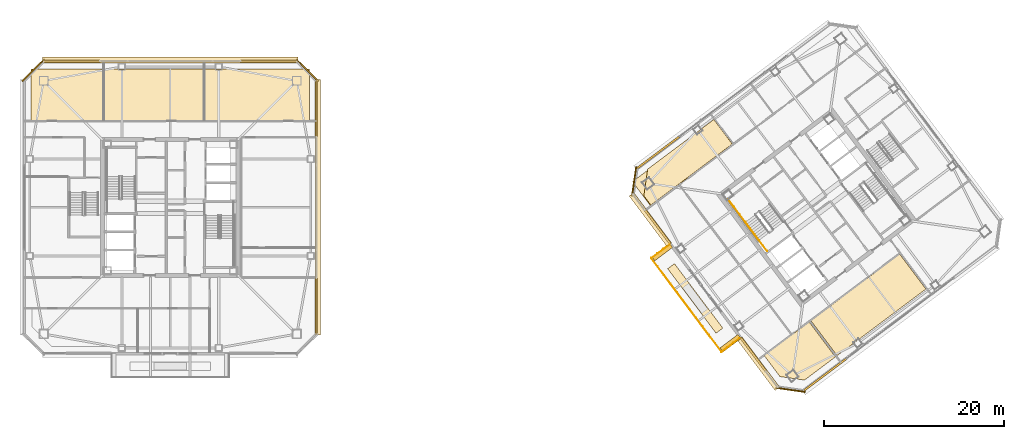
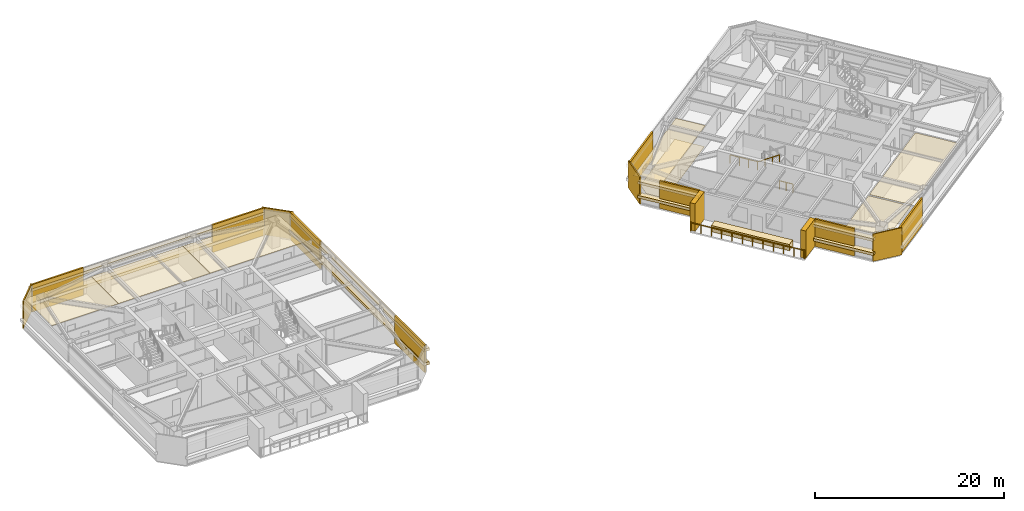
# One storey, part 36 of 40: 30 coverings, 6 railings.
"""IFC4 building model written with IfcOpenShell, lengths in metres."""

from ifc_helpers import new_model, si_unit, direction, frame, origin, origin_2d, place, context, subcontext, project, spatial, polyline, rectangle, outline, extrude, material, layer, layer_set, type_object, element, save


model = new_model("IFC4")

# Units and contexts
model_context = context("Model", 3, precision=1e-05, world=origin(), true_north=direction((0.0, 1.0)))
body_context = subcontext(model_context, "Body", "Model", "MODEL_VIEW")
ifc_project = project(units=[si_unit("LENGTHUNIT", "METRE"), si_unit("AREAUNIT", "SQUARE_METRE"), si_unit("VOLUMEUNIT", "CUBIC_METRE"), si_unit("PLANEANGLEUNIT", "RADIAN"), si_unit("MASSUNIT", "GRAM", prefix="KILO")], contexts=[model_context])

# Site, building, storey
site_placement = place(None, origin())
site = spatial("IfcSite", under=ifc_project, at=site_placement, CompositionType="ELEMENT")
building_placement = place(site_placement, origin())
building = spatial("IfcBuilding", under=site, at=building_placement, Name="Tashvorn Skyway Center", CompositionType="ELEMENT")
storey_placement = place(building_placement, frame((0.0, 0.0, 221.949951171875)))
storey = spatial("IfcBuildingStorey", under=building, at=storey_placement, Name="L60", CompositionType="ELEMENT", Elevation=221.949951171875)

# Coverings
ifc_material_1 = material(Name="Precast concrete C40/50", Category="concrete")
ifc_layer_1 = layer(ifc_material_1, 0.199951171875)
ifc_layer_set_1 = layer_set([ifc_layer_1], Name="Precast concrete C40/50")
covering_type_1 = type_object("IfcCoveringType", Name="COV-BRACE-CLAD", PredefinedType="CLADDING", material=ifc_layer_set_1)
for number, where, z_axis, x_axis, name in (
    (1, (30.97119140625, 48.280029296875, 0.0), (0.0, 0.0, 1.0), (1.0, 0.0, 0.0), "Tower 1 L60 North Unitised Curtain Wall Mega-Brace Cladding Band 1"),
    (2, (53.02880859375, 48.280029296875, 0.0), (0.0, 0.0, 1.0), (1.0, 0.0, 0.0), "Tower 1 L60 North Unitised Curtain Wall Mega-Brace Cladding Band 2"),
    (3, (58.280029296875, 43.02880859375, 0.0), (0.0, 0.0, 1.0), (0.0, -1.0, 0.0), "Tower 1 L60 East Unitised Curtain Wall Mega-Brace Cladding Band 1"),
    (4, (58.280029296875, 20.97119140625, 0.0), (0.0, 0.0, 1.0), (0.0, -1.0, 0.0), "Tower 1 L60 East Unitised Curtain Wall Mega-Brace Cladding Band 2"),
):
    element("IfcCovering", number, at=place(storey_placement, frame(where, z_axis=z_axis, x_axis=x_axis)), inside=storey, type_object=covering_type_1, Name=name, PredefinedType="CLADDING", context=body_context, shape_type="SweptSolid", body=[
        extrude(rectangle(XDim=6.30224609375, YDim=0.199951171875, at=origin_2d()), origin(), (0.0, 0.0, 1.0), 3.550048828125),
    ])
covering_1_placement = place(storey_placement, frame((114.900390625, 13.325439453125, 0.0), z_axis=(0.0, 0.0, 1.0), x_axis=(-0.799999996291, -0.600000004945, 0.0)))
element("IfcCovering", 5, at=covering_1_placement, inside=storey, type_object=covering_type_1, Name="Tower 2 L60 South Unitised Curtain Wall Mega-Brace Cladding Band 2", PredefinedType="CLADDING", context=body_context, shape_type="SweptSolid", body=[
    extrude(rectangle(XDim=5.9912109375, YDim=0.199951171875, at=origin_2d()), origin(), (0.0, 0.0, 1.0), 3.550048828125),
])
for number, where, z_axis, x_axis, name in (
    (6, (106.951904296875, 15.597412109375, 0.0), (0.0, 0.0, 1.0), (-0.600000004945, 0.799999996291, 0.0), "Tower 2 L60 West Curtain Wall L Mega-Brace Cladding Band 1"),
    (7, (96.280029296875, 29.82666015625, 0.0), (0.0, 0.0, 1.0), (-0.600000004945, 0.799999996291, 0.0), "Tower 2 L60 West Curtain Wall R Mega-Brace Cladding Band 1"),
):
    element("IfcCovering", number, at=place(storey_placement, frame(where, z_axis=z_axis, x_axis=x_axis)), inside=storey, type_object=covering_type_1, Name=name, PredefinedType="CLADDING", context=body_context, shape_type="SweptSolid", body=[
        extrude(rectangle(XDim=4.586669921875, YDim=0.199951171875, at=origin_2d()), origin(), (0.0, 0.0, 1.0), 3.550048828125),
    ])
covering_2_placement = place(storey_placement, frame((96.324462890625, 38.09326171875, 0.0), z_axis=(0.0, 0.0, 1.0), x_axis=(0.799999996291, 0.600000004945, 0.0)))
element("IfcCovering", 8, at=covering_2_placement, inside=storey, type_object=covering_type_1, Name="Tower 2 L60 North Unitised Curtain Wall Mega-Brace Cladding Band 1", PredefinedType="CLADDING", context=body_context, shape_type="SweptSolid", body=[
    extrude(rectangle(XDim=5.9912109375, YDim=0.199951171875, at=origin_2d()), origin(), (0.0, 0.0, 1.0), 3.550048828125),
])
ifc_material_2 = material(Name="Mineral-fibre acoustic ceiling tile on suspended grid")
ifc_layer_2 = layer(ifc_material_2, 0.02001953125)
ifc_layer_set_2 = layer_set([ifc_layer_2], Name="Mineral-fibre acoustic ceiling tile on suspended grid")
covering_type_2 = type_object("IfcCoveringType", Name="COV-CEIL-20", PredefinedType="CEILING", material=ifc_layer_set_2)
covering_3_placement = place(storey_placement, frame((0.0, 0.0, 2.703125)))
element("IfcCovering", 9, at=covering_3_placement, inside=storey, type_object=covering_type_2, Name="Tower 1 L60 Open Plan Office Acoustic Ceiling", PredefinedType="CEILING", context=body_context, shape_type="SweptSolid", body=[
    extrude(outline(polyline([(26.5, 41.6201171875), (34.60009765625, 41.6201171875), (34.60009765625, 47.39990234375), (26.5, 47.39990234375), (26.5, 41.6201171875)])), origin(), (0.0, 0.0, 1.0), 0.02001953125),
])
covering_4_placement = place(storey_placement, frame((0.0, 0.0, 2.703125)))
element("IfcCovering", 10, at=covering_4_placement, inside=storey, type_object=covering_type_2, Name="Tower 1 L60 Open Plan Office Acoustic Ceiling", PredefinedType="CEILING", context=body_context, shape_type="SweptSolid", body=[
    extrude(outline(polyline([(34.60009765625, 41.6201171875), (45.800048828125, 41.6201171875), (45.800048828125, 47.39990234375), (34.60009765625, 47.39990234375), (34.60009765625, 41.6201171875)])), origin(), (0.0, 0.0, 1.0), 0.02001953125),
])
covering_5_placement = place(storey_placement, frame((0.0, 0.0, 2.703125)))
element("IfcCovering", 11, at=covering_5_placement, inside=storey, type_object=covering_type_2, Name="Tower 1 L60 Design Studio Acoustic Ceiling", PredefinedType="CEILING", context=body_context, shape_type="SweptSolid", body=[
    extrude(outline(polyline([(45.800048828125, 41.6201171875), (57.5, 41.6201171875), (57.5, 47.39990234375), (45.800048828125, 47.39990234375), (45.800048828125, 41.6201171875)])), origin(), (0.0, 0.0, 1.0), 0.02001953125),
])
covering_6_placement = place(storey_placement, frame((0.0, 0.0, 2.703125)))
element("IfcCovering", 12, at=covering_6_placement, inside=storey, type_object=covering_type_2, Name="Tower 2 L60 Research Library Acoustic Ceiling", PredefinedType="CEILING", context=body_context, shape_type="SweptSolid", body=[
    extrude(outline(polyline([(95.52001953125, 32.139892578125), (104.719970703125, 39.0400390625), (102.679931640625, 41.760009765625), (93.47998046875, 34.860107421875), (95.52001953125, 32.139892578125)])), origin(), (0.0, 0.0, 1.0), 0.02001953125),
])
covering_7_placement = place(storey_placement, frame((0.0, 0.0, 2.703125)))
element("IfcCovering", 13, at=covering_7_placement, inside=storey, type_object=covering_type_2, Name="Tower 2 L60 Research Library Acoustic Ceiling", PredefinedType="CEILING", context=body_context, shape_type="SweptSolid", body=[
    extrude(outline(polyline([(108.162109375, 15.48388671875), (113.169921875, 19.239990234375), (116.092041015625, 15.343994140625), (112.652099609375, 12.763916015625), (109.907958984375, 13.156005859375), (108.162109375, 15.48388671875)])), origin(), (0.0, 0.0, 1.0), 0.02001953125),
])
covering_8_placement = place(storey_placement, frame((0.0, 0.0, 2.703125)))
element("IfcCovering", 14, at=covering_8_placement, inside=storey, type_object=covering_type_2, Name="Tower 2 L60 Security Control Room Acoustic Ceiling", PredefinedType="CEILING", context=body_context, shape_type="SweptSolid", body=[
    extrude(outline(polyline([(113.362060546875, 19.384033203125), (123.25, 26.800048828125), (126.172119140625, 22.904052734375), (116.283935546875, 15.488037109375), (113.362060546875, 19.384033203125)])), origin(), (0.0, 0.0, 1.0), 0.02001953125),
])
ifc_material_3 = material(Name="Polished Mojave desert-aggregate terrazzo and cover plate")
ifc_layer_3 = layer(ifc_material_3, 0.0400390625)
ifc_layer_set_3 = layer_set([ifc_layer_3], Name="Polished Mojave desert-aggregate terrazzo and cover plate")
covering_type_3 = type_object("IfcCoveringType", Name="COV-FLR-40", PredefinedType="FLOORING", material=ifc_layer_set_3)
covering_9_placement = place(storey_placement, origin())
element("IfcCovering", 15, at=covering_9_placement, inside=storey, type_object=covering_type_3, Name="Tower 2 L60 Research Library Finish Flooring", PredefinedType="FLOORING", context=body_context, shape_type="SweptSolid", body=[
    extrude(outline(polyline([(104.60791015625, 39.055908203125), (95.535888671875, 32.251953125), (94.756103515625, 33.2919921875), (95.179931640625, 36.260009765625), (102.555908203125, 41.7919921875), (104.60791015625, 39.055908203125)])), origin(), (0.0, 0.0, 1.0), 0.0400390625),
])
ifc_material_4 = material(Name="Perforated ceramic-coated bronze aluminium solar screen", Category="aluminium")
ifc_layer_4 = layer(ifc_material_4, 0.85009765625)
ifc_layer_set_4 = layer_set([ifc_layer_4], Name="Perforated ceramic-coated bronze aluminium solar screen")
covering_type_4 = type_object("IfcCoveringType", Name="COV-SOLAR-BAND", PredefinedType="CLADDING", material=ifc_layer_set_4)
for number, where, z_axis, x_axis, name in (
    (16, (42.0, 48.419921875, 0.919921875), (0.0, 0.0, 1.0), (1.0, 0.0, 0.0), "L60 Perforated Ceramic-Metal Solar Screen Louvre Band North 1"),
    (17, (42.0, 48.419921875, 2.72021484375), (0.0, 0.0, 1.0), (1.0, 0.0, 0.0), "L60 Perforated Ceramic-Metal Solar Screen Louvre Band North 2"),
    (18, (58.419921875, 32.0, 0.919921875), (0.0, 0.0, 1.0), (0.0, -1.0, 0.0), "L60 Perforated Ceramic-Metal Solar Screen Louvre Band East 1"),
    (19, (58.419921875, 32.0, 2.72021484375), (0.0, 0.0, 1.0), (0.0, -1.0, 0.0), "L60 Perforated Ceramic-Metal Solar Screen Louvre Band East 2"),
):
    element("IfcCovering", number, at=place(storey_placement, frame(where, z_axis=z_axis, x_axis=x_axis)), inside=storey, type_object=covering_type_4, Name=name, PredefinedType="CLADDING", context=body_context, shape_type="SweptSolid", body=[
        extrude(rectangle(XDim=28.47998046875, YDim=0.639892578125, at=origin_2d()), origin(), (0.0, 0.0, 1.0), 0.360107421875),
    ])
for number, where, z_axis, x_axis, name in (
    (20, (107.528076171875, 14.595947265625, 0.919921875), (0.0, 0.0, 1.0), (-0.600000004945, 0.799999996291, 0.0), "L60 Perforated Ceramic-Metal Solar Screen Louvre Band West 1"),
    (21, (107.528076171875, 14.595947265625, 2.72021484375), (0.0, 0.0, 1.0), (-0.600000004945, 0.799999996291, 0.0), "L60 Perforated Ceramic-Metal Solar Screen Louvre Band West 2"),
    (22, (95.47998046875, 30.659912109375, 0.919921875), (0.0, 0.0, 1.0), (-0.600000004945, 0.799999996291, 0.0), "L60 Perforated Ceramic-Metal Solar Screen Louvre Band West 1"),
    (23, (95.47998046875, 30.659912109375, 2.72021484375), (0.0, 0.0, 1.0), (-0.600000004945, 0.799999996291, 0.0), "L60 Perforated Ceramic-Metal Solar Screen Louvre Band West 2"),
):
    element("IfcCovering", number, at=place(storey_placement, frame(where, z_axis=z_axis, x_axis=x_axis)), inside=storey, type_object=covering_type_4, Name=name, PredefinedType="CLADDING", context=body_context, shape_type="SweptSolid", body=[
        extrude(rectangle(XDim=7.0, YDim=0.639892578125, at=origin_2d()), origin(), (0.0, 0.0, 1.0), 0.360107421875),
    ])
ifc_layer_5 = layer(ifc_material_1, 0.35009765625)
ifc_layer_set_5 = layer_set([ifc_layer_5], Name="Precast concrete C40/50")
covering_type_5 = type_object("IfcCoveringType", Name="COV-STONE-TRIM", PredefinedType="CLADDING", material=ifc_layer_set_5)
for number, where, z_axis, x_axis, name in (
    (24, (26.72998046875, 47.27001953125, 0.02001953125), (0.0, 0.0, 1.0), (-0.707106781187, -0.707106781187, 0.0), "Tower 1 L60 NW Mojave Limestone Corner Quoin"),
    (25, (57.27001953125, 47.27001953125, 0.02001953125), (0.0, 0.0, 1.0), (0.707106781187, -0.707106781187, 0.0), "Tower 1 L60 NE Mojave Limestone Corner Quoin"),
):
    element("IfcCovering", number, at=place(storey_placement, frame(where, z_axis=z_axis, x_axis=x_axis)), inside=storey, type_object=covering_type_5, Name=name, PredefinedType="CLADDING", context=body_context, shape_type="SweptSolid", body=[
        extrude(rectangle(XDim=3.41259765625, YDim=0.139892578125, at=origin_2d()), origin(), (0.0, 0.0, 1.0), 3.510009765625),
    ])
for number, where, z_axis, x_axis, name in (
    (26, (104.409912109375, 16.8701171875, 0.0), (0.0, 0.0, 1.0), (-0.600000004945, 0.799999996291, 0.0), "Tower 2 L60 Sky Garden Loggia Pier L"),
    (27, (96.7900390625, 27.030029296875, 0.0), (0.0, 0.0, 1.0), (-0.600000004945, 0.799999996291, 0.0), "Tower 2 L60 Sky Garden Loggia Pier R"),
):
    element("IfcCovering", number, at=place(storey_placement, frame(where, z_axis=z_axis, x_axis=x_axis)), inside=storey, type_object=covering_type_5, Name=name, PredefinedType="CLADDING", context=body_context, shape_type="SweptSolid", body=[
        extrude(rectangle(XDim=0.580078125, YDim=2.5, at=origin_2d()), origin(), (0.0, 0.0, 1.0), 3.550048828125),
    ])
covering_10_placement = place(storey_placement, frame((100.47998046875, 21.860107421875, 0.0), z_axis=(0.0, 0.0, 1.0), x_axis=(-0.600000004945, 0.799999996291, 0.0)))
element("IfcCovering", 28, at=covering_10_placement, inside=storey, type_object=covering_type_5, Name="Tower 2 L60 Sky Garden Stone Planter Bed", PredefinedType="CLADDING", context=body_context, shape_type="SweptSolid", body=[
    extrude(rectangle(XDim=8.97607421875, YDim=0.949951171875, at=origin_2d()), origin(), (0.0, 0.0, 1.0), 0.800048828125),
])
for number, where, z_axis, x_axis, name in (
    (29, (111.095947265625, 11.672119140625, 0.02001953125), (0.0, 0.0, 1.0), (-0.989949494535, 0.141421350118, 0.0), "Tower 2 L60 SW Mojave Limestone Corner Quoin"),
    (30, (93.672119140625, 34.904052734375, 0.02001953125), (0.0, 0.0, 1.0), (-0.141421350118, -0.989949494535, 0.0), "Tower 2 L60 NW Mojave Limestone Corner Quoin"),
):
    element("IfcCovering", number, at=place(storey_placement, frame(where, z_axis=z_axis, x_axis=x_axis)), inside=storey, type_object=covering_type_5, Name=name, PredefinedType="CLADDING", context=body_context, shape_type="SweptSolid", body=[
        extrude(rectangle(XDim=3.271240234375, YDim=0.139892578125, at=origin_2d()), origin(), (0.0, 0.0, 1.0), 3.510009765625),
    ])

# Railings
ifc_material_5 = material(Name="Galvanized steel S355", Category="steel")
railing_type_1 = type_object("IfcRailingType", Name="RAIL-GUARD-1120", PredefinedType="GUARDRAIL", material=ifc_material_5)
railing_1_placement = place(storey_placement, frame((105.431884765625, 17.424072265625, 0.0)))
element("IfcRailing", 31, at=railing_1_placement, inside=storey, type_object=railing_type_1, Name="L60 Tower 2 Terrace Guardrail 01", PredefinedType="GUARDRAIL", context=body_context, shape_type="SweptSolid", body=[
    extrude(rectangle(XDim=0.048095703125, YDim=0.048095703125, at=origin_2d()), frame((0.0, 0.0, 1.09619140625), z_axis=(-0.79998837352, -0.60001550166, 0.0), x_axis=(0.60001550166, -0.79998837352, 0.0)), (0.0, 0.0, 1.0), 2.519775390625),
    extrude(rectangle(XDim=0.0419921875, YDim=0.0419921875, at=origin_2d()), origin(), (0.0, 0.0, 1.0), 1.072021484375),
    extrude(rectangle(XDim=0.0419921875, YDim=0.0419921875, at=origin_2d()), frame((-0.671875, -0.50390625, 0.0)), (0.0, 0.0, 1.0), 1.072021484375),
    extrude(rectangle(XDim=0.0419921875, YDim=0.0419921875, at=origin_2d()), frame((-1.343994140625, -1.008056640625, 0.0)), (0.0, 0.0, 1.0), 1.072021484375),
    extrude(rectangle(XDim=0.0419921875, YDim=0.0419921875, at=origin_2d()), frame((-2.015869140625, -1.511962890625, 0.0)), (0.0, 0.0, 1.0), 1.072021484375),
])
railing_2_placement = place(storey_placement, frame((103.416015625, 15.912109375, 0.0)))
element("IfcRailing", 32, at=railing_2_placement, inside=storey, type_object=railing_type_1, Name="L60 Tower 2 Terrace Guardrail 02", PredefinedType="GUARDRAIL", context=body_context, shape_type="SweptSolid", body=[
    extrude(rectangle(XDim=0.048095703125, YDim=0.048095703125, at=origin_2d()), frame((0.0, 0.0, 1.09619140625), z_axis=(-0.600002995611, 0.799997753283, 0.0), x_axis=(-0.799997753283, -0.600002995611, 0.0)), (0.0, 0.0, 1.0), 13.039794921875),
    extrude(rectangle(XDim=0.0419921875, YDim=0.0419921875, at=origin_2d()), origin(), (0.0, 0.0, 1.0), 1.072021484375),
    extrude(rectangle(XDim=0.0419921875, YDim=0.0419921875, at=origin_2d()), frame((-0.711181640625, 0.9482421875, 0.0)), (0.0, 0.0, 1.0), 1.072021484375),
    extrude(rectangle(XDim=0.0419921875, YDim=0.0419921875, at=origin_2d()), frame((-1.422607421875, 1.896728515625, 0.0)), (0.0, 0.0, 1.0), 1.072021484375),
    extrude(rectangle(XDim=0.0419921875, YDim=0.0419921875, at=origin_2d()), frame((-2.1337890625, 2.844970703125, 0.0)), (0.0, 0.0, 1.0), 1.072021484375),
    extrude(rectangle(XDim=0.0419921875, YDim=0.0419921875, at=origin_2d()), frame((-2.844970703125, 3.79345703125, 0.0)), (0.0, 0.0, 1.0), 1.072021484375),
    extrude(rectangle(XDim=0.0419921875, YDim=0.0419921875, at=origin_2d()), frame((-3.556396484375, 4.74169921875, 0.0)), (0.0, 0.0, 1.0), 1.072021484375),
    extrude(rectangle(XDim=0.0419921875, YDim=0.0419921875, at=origin_2d()), frame((-4.267578125, 5.690185546875, 0.0)), (0.0, 0.0, 1.0), 1.072021484375),
    extrude(rectangle(XDim=0.0419921875, YDim=0.0419921875, at=origin_2d()), frame((-4.97900390625, 6.638427734375, 0.0)), (0.0, 0.0, 1.0), 1.072021484375),
    extrude(rectangle(XDim=0.0419921875, YDim=0.0419921875, at=origin_2d()), frame((-5.690185546875, 7.5869140625, 0.0)), (0.0, 0.0, 1.0), 1.072021484375),
    extrude(rectangle(XDim=0.0419921875, YDim=0.0419921875, at=origin_2d()), frame((-6.4013671875, 8.53515625, 0.0)), (0.0, 0.0, 1.0), 1.072021484375),
    extrude(rectangle(XDim=0.0419921875, YDim=0.0419921875, at=origin_2d()), frame((-7.11279296875, 9.483642578125, 0.0)), (0.0, 0.0, 1.0), 1.072021484375),
    extrude(rectangle(XDim=0.0419921875, YDim=0.0419921875, at=origin_2d()), frame((-7.823974609375, 10.431884765625, 0.0)), (0.0, 0.0, 1.0), 1.072021484375),
])
railing_3_placement = place(storey_placement, frame((95.592041015625, 26.343994140625, 0.0)))
element("IfcRailing", 33, at=railing_3_placement, inside=storey, type_object=railing_type_1, Name="L60 Tower 2 Terrace Guardrail 03", PredefinedType="GUARDRAIL", context=body_context, shape_type="SweptSolid", body=[
    extrude(rectangle(XDim=0.048095703125, YDim=0.048095703125, at=origin_2d()), frame((0.0, 0.0, 1.09619140625), z_axis=(0.79998837352, 0.60001550166, 0.0), x_axis=(-0.60001550166, 0.79998837352, 0.0)), (0.0, 0.0, 1.0), 2.519775390625),
    extrude(rectangle(XDim=0.0419921875, YDim=0.0419921875, at=origin_2d()), origin(), (0.0, 0.0, 1.0), 1.072021484375),
    extrude(rectangle(XDim=0.0419921875, YDim=0.0419921875, at=origin_2d()), frame((0.671875, 0.50390625, 0.0)), (0.0, 0.0, 1.0), 1.072021484375),
    extrude(rectangle(XDim=0.0419921875, YDim=0.0419921875, at=origin_2d()), frame((1.343994140625, 1.008056640625, 0.0)), (0.0, 0.0, 1.0), 1.072021484375),
    extrude(rectangle(XDim=0.0419921875, YDim=0.0419921875, at=origin_2d()), frame((2.015869140625, 1.511962890625, 0.0)), (0.0, 0.0, 1.0), 1.072021484375),
])
ifc_material_6 = material(Name="Brushed stainless steel 316", Category="steel")
railing_type_2 = type_object("IfcRailingType", Name="RAIL-HAND-920", PredefinedType="HANDRAIL", material=ifc_material_6)
railing_4_placement = place(storey_placement, frame((106.072021484375, 30.35400390625, 1.95263671875)))
element("IfcRailing", 34, at=railing_4_placement, inside=storey, type_object=railing_type_2, Name="L60 ST-T2-1 stair handrail 2", PredefinedType="HANDRAIL", context=body_context, shape_type="SweptSolid", body=[
    extrude(rectangle(XDim=0.048095703125, YDim=0.048095703125, at=origin_2d()), frame((0.0, 0.0, 0.8759765625), z_axis=(0.506740800098, -0.675708949977, 0.535379469569), x_axis=(0.800023250257, 0.599968998406, 0.0)), (0.0, 0.0, 1.0), 2.983642578125),
    extrude(rectangle(XDim=0.0419921875, YDim=0.0419921875, at=origin_2d()), origin(), (0.0, 0.0, 1.0), 0.851806640625),
    extrude(rectangle(XDim=0.0419921875, YDim=0.0419921875, at=origin_2d()), frame((0.50390625, -0.672119140625, 0.532470703125)), (0.0, 0.0, 1.0), 0.851806640625),
    extrude(rectangle(XDim=0.0419921875, YDim=0.0419921875, at=origin_2d()), frame((1.008056640625, -1.343994140625, 1.06494140625)), (0.0, 0.0, 1.0), 0.851806640625),
    extrude(rectangle(XDim=0.0419921875, YDim=0.0419921875, at=origin_2d()), frame((1.511962890625, -2.01611328125, 1.597412109375)), (0.0, 0.0, 1.0), 0.851806640625),
])
ifc_material_7 = material(Name="Painted galvanized steel S355", Category="steel")
railing_type_3 = type_object("IfcRailingType", Name="RAIL-STGUARD-1100", PredefinedType="GUARDRAIL", material=ifc_material_7)
railing_5_placement = place(storey_placement, frame((106.072021484375, 30.35400390625, 1.775146484375)))
element("IfcRailing", 35, at=railing_5_placement, inside=storey, type_object=railing_type_3, Name="L60 ST-T2-1 stair guard 3", PredefinedType="GUARDRAIL", context=body_context, shape_type="SweptSolid", body=[
    extrude(rectangle(XDim=0.048095703125, YDim=0.048095703125, at=origin_2d()), frame((0.0, 0.0, 1.076171875), z_axis=(-0.599987638607, 0.800009270896, 0.0), x_axis=(-0.800009270896, -0.599987638607, 0.0)), (0.0, 0.0, 1.0), 3.16015625),
    extrude(rectangle(XDim=0.0419921875, YDim=0.0419921875, at=origin_2d()), origin(), (0.0, 0.0, 1.0), 1.052001953125),
    extrude(rectangle(XDim=0.0419921875, YDim=0.0419921875, at=origin_2d()), frame((-0.632080078125, 0.8427734375, 0.0)), (0.0, 0.0, 1.0), 1.052001953125),
    extrude(rectangle(XDim=0.0419921875, YDim=0.0419921875, at=origin_2d()), frame((-1.263916015625, 1.685302734375, 0.0)), (0.0, 0.0, 1.0), 1.052001953125),
    extrude(rectangle(XDim=0.0419921875, YDim=0.0419921875, at=origin_2d()), frame((-1.89599609375, 2.528076171875, 0.0)), (0.0, 0.0, 1.0), 1.052001953125),
])
railing_6_placement = place(storey_placement, frame((108.49609375, 27.1220703125, 0.0)))
element("IfcRailing", 36, at=railing_6_placement, inside=storey, type_object=railing_type_3, Name="L60 ST-T2-1 stair guard 6", PredefinedType="GUARDRAIL", context=body_context, shape_type="SweptSolid", body=[
    extrude(rectangle(XDim=0.048095703125, YDim=0.048095703125, at=origin_2d()), frame((0.0, 0.0, 1.076171875), z_axis=(-0.600102796382, 0.799922892393, 0.0), x_axis=(-0.799922892393, -0.600102796382, 0.0)), (0.0, 0.0, 1.0), 1.52001953125),
    extrude(rectangle(XDim=0.0419921875, YDim=0.0419921875, at=origin_2d()), origin(), (0.0, 0.0, 1.0), 1.052001953125),
    extrude(rectangle(XDim=0.0419921875, YDim=0.0419921875, at=origin_2d()), frame((-0.4560546875, 0.60791015625, 0.0)), (0.0, 0.0, 1.0), 1.052001953125),
    extrude(rectangle(XDim=0.0419921875, YDim=0.0419921875, at=origin_2d()), frame((-0.912109375, 1.2158203125, 0.0)), (0.0, 0.0, 1.0), 1.052001953125),
])

save(model, "model.ifc")
